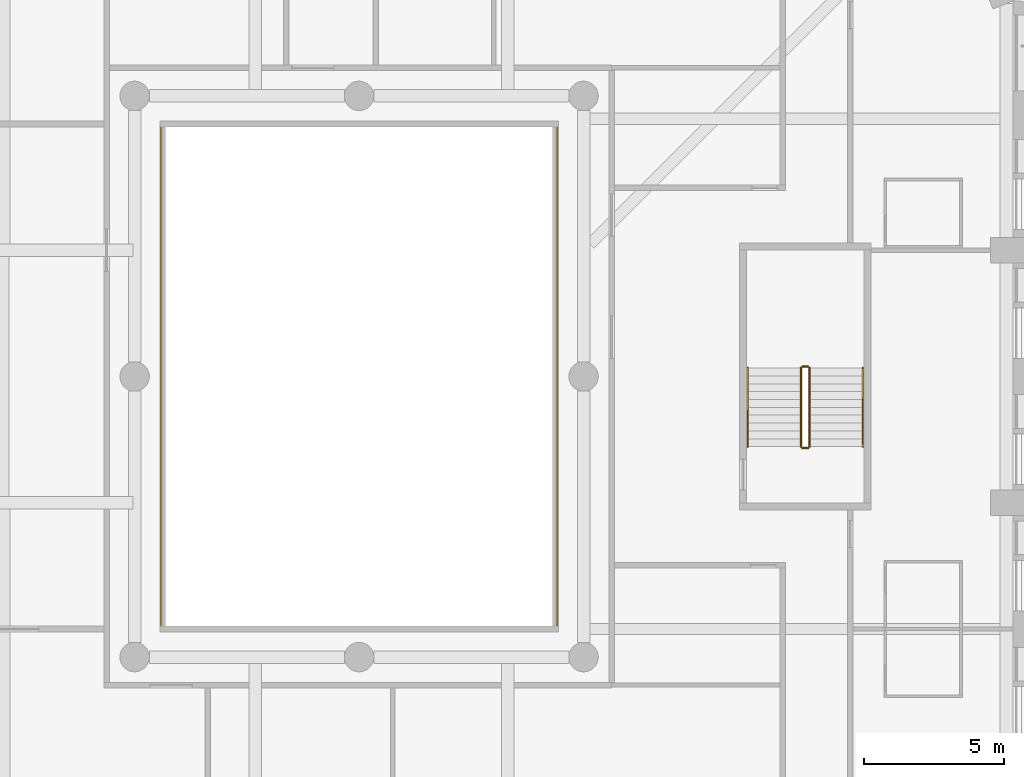
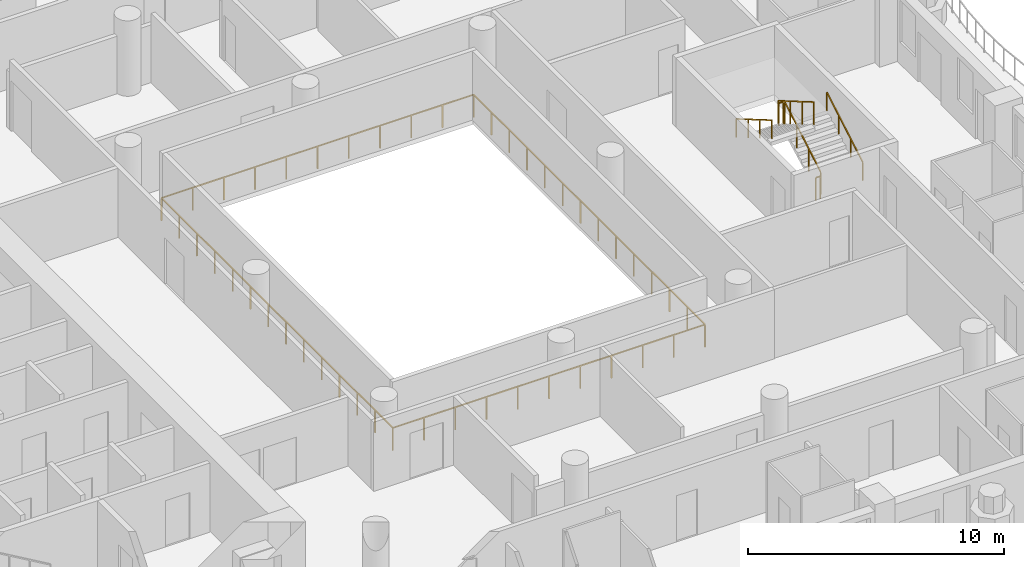
# One storey, part 14 of 19: 7 railings.
"""IFC4 building model written with IfcOpenShell, lengths in metres."""

import ifcopenshell
import ifcopenshell.guid

model = None  # the IFC model being written
_history = None  # IfcOwnerHistory: only IFC2X3 demands one
_inside = {}  # id of a spatial element -> (the spatial element, [elements in it])
_under = {}  # id of a project, library or spatial element -> (it, [spatial elements below it])
_declared = {}  # id of a project -> (the project, [libraries it declares])
_typed = {}  # id of a type object -> (the type object, [elements of that type])
_made_of = {}  # id of a material, layer set ... -> (it, [elements and type objects made of it])


def new_model(schema):
    """Start an empty IFC model of exactly this schema.

    Asked for "IFC4X3", IfcOpenShell would pick the latest addendum, in which some entities
    have other attributes; the version numbers below select the first issue.
    IFC2X3 requires an IfcOwnerHistory on every rooted entity: one is made here for all.
    """
    global model, _history
    if schema == "IFC4X3":
        model = ifcopenshell.file(schema_version=(4, 3, 0, 0))
    else:
        model = ifcopenshell.file(schema=schema)
    _inside.clear()
    _under.clear()
    _declared.clear()
    _typed.clear()
    _made_of.clear()
    _history = None
    if model.schema == "IFC2X3":
        org = make("IfcOrganization", Name="unknown")
        user = make(
            "IfcPersonAndOrganization",
            ThePerson=make("IfcPerson", FamilyName="unknown"),
            TheOrganization=org,
        )
        app = make(
            "IfcApplication",
            ApplicationDeveloper=org,
            Version="unknown",
            ApplicationFullName="unknown",
            ApplicationIdentifier="unknown",
        )
        _history = make(
            "IfcOwnerHistory",
            OwningUser=user,
            OwningApplication=app,
            ChangeAction="ADDED",
            CreationDate=0,
        )
    return model


def make(cls, **values):
    """One entity of the class cls with the attributes given. An attribute that is None is left unset."""
    return model.create_entity(
        cls, **{name: value for name, value in values.items() if value is not None}
    )


def rooted(cls, **values):
    """An entity with a GlobalId (a new one), such as an element, a storey or a relation."""
    return make(cls, GlobalId=ifcopenshell.guid.new(), OwnerHistory=_history, **values)


def si_unit(unit_type, name, prefix=None):
    """IfcSIUnit, for example si_unit("LENGTHUNIT", "METRE", prefix="MILLI")."""
    return make("IfcSIUnit", UnitType=unit_type, Prefix=prefix, Name=name)


def assignment(units):
    """IfcUnitAssignment: the units of a project."""
    return None if units is None else make("IfcUnitAssignment", Units=units)


def point(xyz):
    """IfcCartesianPoint."""
    return None if xyz is None else make("IfcCartesianPoint", Coordinates=xyz)


def direction(xyz):
    """IfcDirection."""
    return None if xyz is None else make("IfcDirection", DirectionRatios=xyz)


def frame(location, z_axis=None, x_axis=None):
    """IfcAxis2Placement3D, a coordinate frame: its origin and axes. An axis left out is left unset."""
    return make(
        "IfcAxis2Placement3D",
        Location=point(location),
        Axis=direction(z_axis),
        RefDirection=direction(x_axis),
    )


def frame_2d(location, x_axis=None):
    """IfcAxis2Placement2D, a coordinate frame in the plane: its origin and x axis."""
    return make(
        "IfcAxis2Placement2D", Location=point(location), RefDirection=direction(x_axis)
    )


def origin():
    """The frame at (0, 0, 0) with its axes left unset."""
    return frame((0.0, 0.0, 0.0))


def origin_2d():
    """The frame at (0, 0) in the plane with its x axis left unset."""
    return frame_2d((0.0, 0.0))


def place(relative_to, where):
    """IfcLocalPlacement: puts the frame where relative to a parent placement (None: the world)."""
    return make(
        "IfcLocalPlacement", PlacementRelTo=relative_to, RelativePlacement=where
    )


def context(
    kind, dimensions, precision=None, world=None, true_north=None, identifier=None
):
    """IfcGeometricRepresentationContext, for example the 3D "Model" context."""
    return make(
        "IfcGeometricRepresentationContext",
        ContextIdentifier=identifier,
        ContextType=kind,
        CoordinateSpaceDimension=dimensions,
        Precision=precision,
        WorldCoordinateSystem=world,
        TrueNorth=true_north,
    )


def subcontext(parent, identifier, kind, view, scale=None):
    """IfcGeometricRepresentationSubContext, for example "Body" below "Model"."""
    return make(
        "IfcGeometricRepresentationSubContext",
        ContextIdentifier=identifier,
        ContextType=kind,
        ParentContext=parent,
        TargetScale=scale,
        TargetView=view,
    )


def project(units=None, contexts=None):
    """IfcProject with its units and contexts."""
    return rooted(
        "IfcProject",
        Name="project",
        RepresentationContexts=contexts,
        UnitsInContext=assignment(units),
    )


def spatial(cls, under=None, at=None, **own):
    """A site, building, storey or space (cls), placed at a placement, below another one or the project."""
    s = rooted(cls, ObjectPlacement=at, **own)
    if under is not None:
        _under.setdefault(under.id(), (under, []))[1].append(s)
    return s


def profile(cls, at=None, kind="AREA", **sizes):
    """A parametric profile (cls). Its sizes go by their IFC names, for example OverallWidth=200.0."""
    return make(cls, ProfileType=kind, Position=at, **sizes)


def rectangle(**sizes):
    """IfcRectangleProfileDef."""
    return profile("IfcRectangleProfileDef", **sizes)


def extrude(swept, where, along, depth):
    """IfcExtrudedAreaSolid: the profile swept, set in the frame where, extruded along a direction by depth."""
    return make(
        "IfcExtrudedAreaSolid",
        SweptArea=swept,
        Position=where,
        ExtrudedDirection=direction(along),
        Depth=depth,
    )


def shape(context_of_items, identifier, shape_type, items):
    """IfcShapeRepresentation: the items that make up one representation, for example the "Body"."""
    return make(
        "IfcShapeRepresentation",
        ContextOfItems=context_of_items,
        RepresentationIdentifier=identifier,
        RepresentationType=shape_type,
        Items=items,
    )


def material(Name=None, Category=None):
    """IfcMaterial."""
    return make("IfcMaterial", Name=Name, Category=Category)


def made_of(thing, what):
    """Note that an element or type object is made of a material, layer set ...; save() writes the relation."""
    if what is not None:
        _made_of.setdefault(what.id(), (what, []))[1].append(thing)
    return thing


def type_object(cls, material=None, **own):
    """A type object (cls), such as IfcWallType, which elements share."""
    return made_of(rooted(cls, **own), material)


def element(
    cls,
    number,
    at=None,
    inside=None,
    cuts=None,
    type_object=None,
    material=None,
    context=None,
    identifier="Body",
    shape_type=None,
    held_by="IfcProductDefinitionShape",
    body=None,
    shapes=None,
    **own,
):
    """One element of the class cls, such as IfcWall. Its Tag is "e" and its number.

    at: its placement. inside: the storey or other place that contains it. cuts: it is an
    opening in that element (IfcRelVoidsElement). A single representation is given by context,
    identifier, shape_type and body (its items); several are given by shapes. held_by: the class
    of the entity that holds the representations. save() writes the other relations.
    """
    e = rooted(cls, Tag="e%d" % number, ObjectPlacement=at, **own)
    if body is not None:
        shapes = [shape(context, identifier, shape_type, body)]
    if shapes is not None:
        e.Representation = make(held_by, Representations=shapes)
    if inside is not None:
        _inside.setdefault(inside.id(), (inside, []))[1].append(e)
    if cuts is not None:
        rooted(
            "IfcRelVoidsElement", RelatingBuildingElement=cuts, RelatedOpeningElement=e
        )
    if type_object is not None:
        _typed.setdefault(type_object.id(), (type_object, []))[1].append(e)
    return made_of(e, material)


def aggregate(whole, parts):
    """IfcRelAggregates: a whole, such as a stair, and the parts it consists of."""
    return rooted("IfcRelAggregates", RelatingObject=whole, RelatedObjects=parts)


def save(model, path):
    """Write the relations noted so far, then the file.

    IfcRelAggregates (storeys below a building ...), IfcRelContainedInSpatialStructure (elements
    in a storey), IfcRelDefinesByType, IfcRelAssociatesMaterial and IfcRelDeclares: one each for
    every whole, place, type object, material and project.
    """
    for whole, parts in _under.values():
        aggregate(whole, parts)
    for where, things in _inside.values():
        rooted(
            "IfcRelContainedInSpatialStructure",
            RelatedElements=things,
            RelatingStructure=where,
        )
    for kind, things in _typed.values():
        rooted("IfcRelDefinesByType", RelatedObjects=things, RelatingType=kind)
    for what, things in _made_of.values():
        rooted("IfcRelAssociatesMaterial", RelatedObjects=things, RelatingMaterial=what)
    for by, libraries in _declared.values():
        rooted("IfcRelDeclares", RelatingContext=by, RelatedDefinitions=libraries)
    model.write(path)


model = new_model("IFC4")

# Units and contexts
model_context = context("Model", 3, precision=1e-05, world=origin(), true_north=direction((0.0, 1.0)))
body_context = subcontext(model_context, "Body", "Model", "MODEL_VIEW")
ifc_project = project(units=[si_unit("LENGTHUNIT", "METRE"), si_unit("AREAUNIT", "SQUARE_METRE"), si_unit("VOLUMEUNIT", "CUBIC_METRE"), si_unit("PLANEANGLEUNIT", "RADIAN"), si_unit("MASSUNIT", "GRAM", prefix="KILO")], contexts=[model_context])

# Site, building, storey
site_placement = place(None, origin())
site = spatial("IfcSite", under=ifc_project, at=site_placement, CompositionType="ELEMENT")
building_placement = place(site_placement, origin())
building = spatial("IfcBuilding", under=site, at=building_placement, Name="Cypress Arch Tower", CompositionType="ELEMENT")
storey_placement = place(building_placement, frame((0.0, 0.0, 105.89990234375)))
storey = spatial("IfcBuildingStorey", under=building, at=storey_placement, Name="L21", CompositionType="ELEMENT", Elevation=105.89990234375)

# Railings
ifc_material_1 = material(Name="Stainless steel posts and handrail, laminated glass infill", Category="steel")
railing_type_1 = type_object("IfcRailingType", Name="Atrium guard GR1100A", PredefinedType="GUARDRAIL", material=ifc_material_1)
railing_1_placement = place(storey_placement, frame((8.050048828125, -9.050048828125, 0.0)))
element("IfcRailing", 1, at=railing_1_placement, inside=storey, type_object=railing_type_1, Name="Atrium guard L21", PredefinedType="GUARDRAIL", context=body_context, shape_type="SweptSolid", body=[
    extrude(rectangle(XDim=0.050048828125, YDim=0.050048828125, at=origin_2d()), frame((0.0, 0.0, 1.0751953125), z_axis=(-1.0, 0.0, 0.0), x_axis=(0.0, -1.0, 0.0)), (0.0, 0.0, 1.0), 14.10009765625),
    extrude(rectangle(XDim=0.050048828125, YDim=0.050048828125, at=origin_2d()), frame((-14.10009765625, 0.0, 1.0751953125), z_axis=(0.0, 1.0, 0.0), x_axis=(-1.0, 0.0, 0.0)), (0.0, 0.0, 1.0), 18.10009765625),
    extrude(rectangle(XDim=0.050048828125, YDim=0.050048828125, at=origin_2d()), frame((-14.10009765625, 18.10009765625, 1.0751953125), z_axis=(1.0, 0.0, 0.0), x_axis=(0.0, 1.0, 0.0)), (0.0, 0.0, 1.0), 14.10009765625),
    extrude(rectangle(XDim=0.050048828125, YDim=0.050048828125, at=origin_2d()), frame((0.0, 18.10009765625, 1.0751953125), z_axis=(0.0, -1.0, 0.0), x_axis=(1.0, 0.0, 0.0)), (0.0, 0.0, 1.0), 18.10009765625),
    extrude(rectangle(XDim=0.050048828125, YDim=0.050048828125, at=origin_2d()), origin(), (0.0, 0.0, 1.0), 1.050048828125),
    extrude(rectangle(XDim=0.050048828125, YDim=0.050048828125, at=origin_2d()), frame((-1.409912109375, 0.0, 0.0)), (0.0, 0.0, 1.0), 1.050048828125),
    extrude(rectangle(XDim=0.050048828125, YDim=0.050048828125, at=origin_2d()), frame((-2.820068359375, 0.0, 0.0)), (0.0, 0.0, 1.0), 1.050048828125),
    extrude(rectangle(XDim=0.050048828125, YDim=0.050048828125, at=origin_2d()), frame((-4.22998046875, 0.0, 0.0)), (0.0, 0.0, 1.0), 1.050048828125),
    extrude(rectangle(XDim=0.050048828125, YDim=0.050048828125, at=origin_2d()), frame((-5.64013671875, 0.0, 0.0)), (0.0, 0.0, 1.0), 1.050048828125),
    extrude(rectangle(XDim=0.050048828125, YDim=0.050048828125, at=origin_2d()), frame((-7.050048828125, 0.0, 0.0)), (0.0, 0.0, 1.0), 1.050048828125),
    extrude(rectangle(XDim=0.050048828125, YDim=0.050048828125, at=origin_2d()), frame((-8.4599609375, 0.0, 0.0)), (0.0, 0.0, 1.0), 1.050048828125),
    extrude(rectangle(XDim=0.050048828125, YDim=0.050048828125, at=origin_2d()), frame((-9.8701171875, 0.0, 0.0)), (0.0, 0.0, 1.0), 1.050048828125),
    extrude(rectangle(XDim=0.050048828125, YDim=0.050048828125, at=origin_2d()), frame((-11.280029296875, 0.0, 0.0)), (0.0, 0.0, 1.0), 1.050048828125),
    extrude(rectangle(XDim=0.050048828125, YDim=0.050048828125, at=origin_2d()), frame((-12.690185546875, 0.0, 0.0)), (0.0, 0.0, 1.0), 1.050048828125),
    extrude(rectangle(XDim=0.050048828125, YDim=0.050048828125, at=origin_2d()), frame((-14.10009765625, 0.0, 0.0)), (0.0, 0.0, 1.0), 1.050048828125),
    extrude(rectangle(XDim=0.050048828125, YDim=0.050048828125, at=origin_2d()), frame((-14.10009765625, 1.392333984375, 0.0)), (0.0, 0.0, 1.0), 1.050048828125),
    extrude(rectangle(XDim=0.050048828125, YDim=0.050048828125, at=origin_2d()), frame((-14.10009765625, 2.78466796875, 0.0)), (0.0, 0.0, 1.0), 1.050048828125),
    extrude(rectangle(XDim=0.050048828125, YDim=0.050048828125, at=origin_2d()), frame((-14.10009765625, 4.177001953125, 0.0)), (0.0, 0.0, 1.0), 1.050048828125),
    extrude(rectangle(XDim=0.050048828125, YDim=0.050048828125, at=origin_2d()), frame((-14.10009765625, 5.5693359375, 0.0)), (0.0, 0.0, 1.0), 1.050048828125),
    extrude(rectangle(XDim=0.050048828125, YDim=0.050048828125, at=origin_2d()), frame((-14.10009765625, 6.961669921875, 0.0)), (0.0, 0.0, 1.0), 1.050048828125),
    extrude(rectangle(XDim=0.050048828125, YDim=0.050048828125, at=origin_2d()), frame((-14.10009765625, 8.35400390625, 0.0)), (0.0, 0.0, 1.0), 1.050048828125),
    extrude(rectangle(XDim=0.050048828125, YDim=0.050048828125, at=origin_2d()), frame((-14.10009765625, 9.74609375, 0.0)), (0.0, 0.0, 1.0), 1.050048828125),
    extrude(rectangle(XDim=0.050048828125, YDim=0.050048828125, at=origin_2d()), frame((-14.10009765625, 11.138427734375, 0.0)), (0.0, 0.0, 1.0), 1.050048828125),
    extrude(rectangle(XDim=0.050048828125, YDim=0.050048828125, at=origin_2d()), frame((-14.10009765625, 12.53076171875, 0.0)), (0.0, 0.0, 1.0), 1.050048828125),
    extrude(rectangle(XDim=0.050048828125, YDim=0.050048828125, at=origin_2d()), frame((-14.10009765625, 13.923095703125, 0.0)), (0.0, 0.0, 1.0), 1.050048828125),
    extrude(rectangle(XDim=0.050048828125, YDim=0.050048828125, at=origin_2d()), frame((-14.10009765625, 15.3154296875, 0.0)), (0.0, 0.0, 1.0), 1.050048828125),
    extrude(rectangle(XDim=0.050048828125, YDim=0.050048828125, at=origin_2d()), frame((-14.10009765625, 16.707763671875, 0.0)), (0.0, 0.0, 1.0), 1.050048828125),
    extrude(rectangle(XDim=0.050048828125, YDim=0.050048828125, at=origin_2d()), frame((-14.10009765625, 18.10009765625, 0.0)), (0.0, 0.0, 1.0), 1.050048828125),
    extrude(rectangle(XDim=0.050048828125, YDim=0.050048828125, at=origin_2d()), frame((-12.690185546875, 18.10009765625, 0.0)), (0.0, 0.0, 1.0), 1.050048828125),
    extrude(rectangle(XDim=0.050048828125, YDim=0.050048828125, at=origin_2d()), frame((-11.280029296875, 18.10009765625, 0.0)), (0.0, 0.0, 1.0), 1.050048828125),
    extrude(rectangle(XDim=0.050048828125, YDim=0.050048828125, at=origin_2d()), frame((-9.8701171875, 18.10009765625, 0.0)), (0.0, 0.0, 1.0), 1.050048828125),
    extrude(rectangle(XDim=0.050048828125, YDim=0.050048828125, at=origin_2d()), frame((-8.4599609375, 18.10009765625, 0.0)), (0.0, 0.0, 1.0), 1.050048828125),
    extrude(rectangle(XDim=0.050048828125, YDim=0.050048828125, at=origin_2d()), frame((-7.050048828125, 18.10009765625, 0.0)), (0.0, 0.0, 1.0), 1.050048828125),
    extrude(rectangle(XDim=0.050048828125, YDim=0.050048828125, at=origin_2d()), frame((-5.64013671875, 18.10009765625, 0.0)), (0.0, 0.0, 1.0), 1.050048828125),
    extrude(rectangle(XDim=0.050048828125, YDim=0.050048828125, at=origin_2d()), frame((-4.22998046875, 18.10009765625, 0.0)), (0.0, 0.0, 1.0), 1.050048828125),
    extrude(rectangle(XDim=0.050048828125, YDim=0.050048828125, at=origin_2d()), frame((-2.820068359375, 18.10009765625, 0.0)), (0.0, 0.0, 1.0), 1.050048828125),
    extrude(rectangle(XDim=0.050048828125, YDim=0.050048828125, at=origin_2d()), frame((-1.409912109375, 18.10009765625, 0.0)), (0.0, 0.0, 1.0), 1.050048828125),
    extrude(rectangle(XDim=0.050048828125, YDim=0.050048828125, at=origin_2d()), frame((0.0, 18.10009765625, 0.0)), (0.0, 0.0, 1.0), 1.050048828125),
    extrude(rectangle(XDim=0.050048828125, YDim=0.050048828125, at=origin_2d()), frame((0.0, 16.707763671875, 0.0)), (0.0, 0.0, 1.0), 1.050048828125),
    extrude(rectangle(XDim=0.050048828125, YDim=0.050048828125, at=origin_2d()), frame((0.0, 15.3154296875, 0.0)), (0.0, 0.0, 1.0), 1.050048828125),
    extrude(rectangle(XDim=0.050048828125, YDim=0.050048828125, at=origin_2d()), frame((0.0, 13.923095703125, 0.0)), (0.0, 0.0, 1.0), 1.050048828125),
    extrude(rectangle(XDim=0.050048828125, YDim=0.050048828125, at=origin_2d()), frame((0.0, 12.53076171875, 0.0)), (0.0, 0.0, 1.0), 1.050048828125),
    extrude(rectangle(XDim=0.050048828125, YDim=0.050048828125, at=origin_2d()), frame((0.0, 11.138427734375, 0.0)), (0.0, 0.0, 1.0), 1.050048828125),
    extrude(rectangle(XDim=0.050048828125, YDim=0.050048828125, at=origin_2d()), frame((0.0, 9.74609375, 0.0)), (0.0, 0.0, 1.0), 1.050048828125),
    extrude(rectangle(XDim=0.050048828125, YDim=0.050048828125, at=origin_2d()), frame((0.0, 8.35400390625, 0.0)), (0.0, 0.0, 1.0), 1.050048828125),
    extrude(rectangle(XDim=0.050048828125, YDim=0.050048828125, at=origin_2d()), frame((0.0, 6.961669921875, 0.0)), (0.0, 0.0, 1.0), 1.050048828125),
    extrude(rectangle(XDim=0.050048828125, YDim=0.050048828125, at=origin_2d()), frame((0.0, 5.5693359375, 0.0)), (0.0, 0.0, 1.0), 1.050048828125),
    extrude(rectangle(XDim=0.050048828125, YDim=0.050048828125, at=origin_2d()), frame((0.0, 4.177001953125, 0.0)), (0.0, 0.0, 1.0), 1.050048828125),
    extrude(rectangle(XDim=0.050048828125, YDim=0.050048828125, at=origin_2d()), frame((0.0, 2.78466796875, 0.0)), (0.0, 0.0, 1.0), 1.050048828125),
    extrude(rectangle(XDim=0.050048828125, YDim=0.050048828125, at=origin_2d()), frame((0.0, 1.392333984375, 0.0)), (0.0, 0.0, 1.0), 1.050048828125),
])
ifc_material_2 = material(Name="Black powder-coated steel square bar 48 mm", Category="steel")
railing_type_2 = type_object("IfcRailingType", Name="Stair handrail HR1", PredefinedType="HANDRAIL", material=ifc_material_2)
railing_2_placement = place(storey_placement, frame((18.949951171875, -2.5, 0.163818359375)))
element("IfcRailing", 2, at=railing_2_placement, inside=storey, type_object=railing_type_2, Name="L21 C stair handrail 1", PredefinedType="HANDRAIL", context=body_context, shape_type="SweptSolid", body=[
    extrude(rectangle(XDim=0.048095703125, YDim=0.048095703125, at=origin_2d()), frame((0.0, 0.0, 0.8759765625), z_axis=(0.0, 0.863393664356, 0.504530851732), x_axis=(-1.0, 0.0, 0.0)), (0.0, 0.0, 1.0), 3.2431640625),
    extrude(rectangle(XDim=0.0419921875, YDim=0.0419921875, at=origin_2d()), origin(), (0.0, 0.0, 1.0), 0.851806640625),
    extrude(rectangle(XDim=0.0419921875, YDim=0.0419921875, at=origin_2d()), frame((0.0, 0.933349609375, 0.54541015625)), (0.0, 0.0, 1.0), 0.851806640625),
    extrude(rectangle(XDim=0.0419921875, YDim=0.0419921875, at=origin_2d()), frame((0.0, 1.86669921875, 1.0908203125)), (0.0, 0.0, 1.0), 0.851806640625),
    extrude(rectangle(XDim=0.0419921875, YDim=0.0419921875, at=origin_2d()), frame((0.0, 2.800048828125, 1.63623046875)), (0.0, 0.0, 1.0), 0.851806640625),
])
railing_3_placement = place(storey_placement, frame((14.85009765625, 0.300048828125, 1.963623046875)))
element("IfcRailing", 3, at=railing_3_placement, inside=storey, type_object=railing_type_2, Name="L21 C stair handrail 2", PredefinedType="HANDRAIL", context=body_context, shape_type="SweptSolid", body=[
    extrude(rectangle(XDim=0.048095703125, YDim=0.048095703125, at=origin_2d()), frame((0.0, 0.0, 0.8759765625), z_axis=(0.0, -0.863360870873, 0.504586966384), x_axis=(1.0, 0.0, 0.0)), (0.0, 0.0, 1.0), 3.2431640625),
    extrude(rectangle(XDim=0.0419921875, YDim=0.0419921875, at=origin_2d()), origin(), (0.0, 0.0, 1.0), 0.851806640625),
    extrude(rectangle(XDim=0.0419921875, YDim=0.0419921875, at=origin_2d()), frame((0.0, -0.933349609375, 0.54541015625)), (0.0, 0.0, 1.0), 0.851806640625),
    extrude(rectangle(XDim=0.0419921875, YDim=0.0419921875, at=origin_2d()), frame((0.0, -1.86669921875, 1.091064453125)), (0.0, 0.0, 1.0), 0.851806640625),
    extrude(rectangle(XDim=0.0419921875, YDim=0.0419921875, at=origin_2d()), frame((0.0, -2.800048828125, 1.636474609375)), (0.0, 0.0, 1.0), 0.851806640625),
])
ifc_material_3 = material(Name="Black powder-coated steel balusters", Category="steel")
railing_type_3 = type_object("IfcRailingType", Name="Stair well guard G1", PredefinedType="GUARDRAIL", material=ifc_material_3)
railing_4_placement = place(storey_placement, frame((17.050048828125, -2.5, 0.163818359375)))
element("IfcRailing", 4, at=railing_4_placement, inside=storey, type_object=railing_type_3, Name="L21 C stair guard 1", PredefinedType="GUARDRAIL", context=body_context, shape_type="SweptSolid", body=[
    extrude(rectangle(XDim=0.048095703125, YDim=0.048095703125, at=origin_2d()), frame((0.0, 0.0, 1.076171875), z_axis=(0.0, 0.863393664356, 0.504530851732), x_axis=(-1.0, 0.0, 0.0)), (0.0, 0.0, 1.0), 3.2431640625),
    extrude(rectangle(XDim=0.0419921875, YDim=0.0419921875, at=origin_2d()), origin(), (0.0, 0.0, 1.0), 1.052001953125),
    extrude(rectangle(XDim=0.0419921875, YDim=0.0419921875, at=origin_2d()), frame((0.0, 0.933349609375, 0.54541015625)), (0.0, 0.0, 1.0), 1.052001953125),
    extrude(rectangle(XDim=0.0419921875, YDim=0.0419921875, at=origin_2d()), frame((0.0, 1.86669921875, 1.0908203125)), (0.0, 0.0, 1.0), 1.052001953125),
    extrude(rectangle(XDim=0.0419921875, YDim=0.0419921875, at=origin_2d()), frame((0.0, 2.800048828125, 1.63623046875)), (0.0, 0.0, 1.0), 1.052001953125),
])
railing_5_placement = place(storey_placement, frame((17.0, 0.35009765625, 1.800048828125)))
element("IfcRailing", 5, at=railing_5_placement, inside=storey, type_object=railing_type_3, Name="L21 C stair guard 2", PredefinedType="GUARDRAIL", context=body_context, shape_type="SweptSolid", body=[
    extrude(rectangle(XDim=0.048095703125, YDim=0.048095703125, at=origin_2d()), frame((0.0, 0.0, 1.076171875), z_axis=(-1.0, 0.0, 0.0), x_axis=(0.0, -1.0, 0.0)), (0.0, 0.0, 1.0), 0.199951171875),
    extrude(rectangle(XDim=0.0419921875, YDim=0.0419921875, at=origin_2d()), origin(), (0.0, 0.0, 1.0), 1.052001953125),
    extrude(rectangle(XDim=0.0419921875, YDim=0.0419921875, at=origin_2d()), frame((-0.199951171875, 0.0, 0.0)), (0.0, 0.0, 1.0), 1.052001953125),
])
railing_6_placement = place(storey_placement, frame((16.75, 0.300048828125, 1.963623046875)))
element("IfcRailing", 6, at=railing_6_placement, inside=storey, type_object=railing_type_3, Name="L21 C stair guard 3", PredefinedType="GUARDRAIL", context=body_context, shape_type="SweptSolid", body=[
    extrude(rectangle(XDim=0.048095703125, YDim=0.048095703125, at=origin_2d()), frame((0.0, 0.0, 1.076171875), z_axis=(0.0, -0.863360870873, 0.504586966384), x_axis=(1.0, 0.0, 0.0)), (0.0, 0.0, 1.0), 3.2431640625),
    extrude(rectangle(XDim=0.0419921875, YDim=0.0419921875, at=origin_2d()), origin(), (0.0, 0.0, 1.0), 1.052001953125),
    extrude(rectangle(XDim=0.0419921875, YDim=0.0419921875, at=origin_2d()), frame((0.0, -0.933349609375, 0.54541015625)), (0.0, 0.0, 1.0), 1.052001953125),
    extrude(rectangle(XDim=0.0419921875, YDim=0.0419921875, at=origin_2d()), frame((0.0, -1.86669921875, 1.091064453125)), (0.0, 0.0, 1.0), 1.052001953125),
    extrude(rectangle(XDim=0.0419921875, YDim=0.0419921875, at=origin_2d()), frame((0.0, -2.800048828125, 1.636474609375)), (0.0, 0.0, 1.0), 1.052001953125),
])
railing_7_placement = place(storey_placement, frame((17.0, -2.550048828125, 0.0)))
element("IfcRailing", 7, at=railing_7_placement, inside=storey, type_object=railing_type_3, Name="L21 C stair guard 4", PredefinedType="GUARDRAIL", context=body_context, shape_type="SweptSolid", body=[
    extrude(rectangle(XDim=0.048095703125, YDim=0.048095703125, at=origin_2d()), frame((0.0, 0.0, 1.076171875), z_axis=(-1.0, 0.0, 0.0), x_axis=(0.0, -1.0, 0.0)), (0.0, 0.0, 1.0), 0.199951171875),
    extrude(rectangle(XDim=0.0419921875, YDim=0.0419921875, at=origin_2d()), origin(), (0.0, 0.0, 1.0), 1.052001953125),
    extrude(rectangle(XDim=0.0419921875, YDim=0.0419921875, at=origin_2d()), frame((-0.199951171875, 0.0, 0.0)), (0.0, 0.0, 1.0), 1.052001953125),
])

save(model, "model.ifc")
